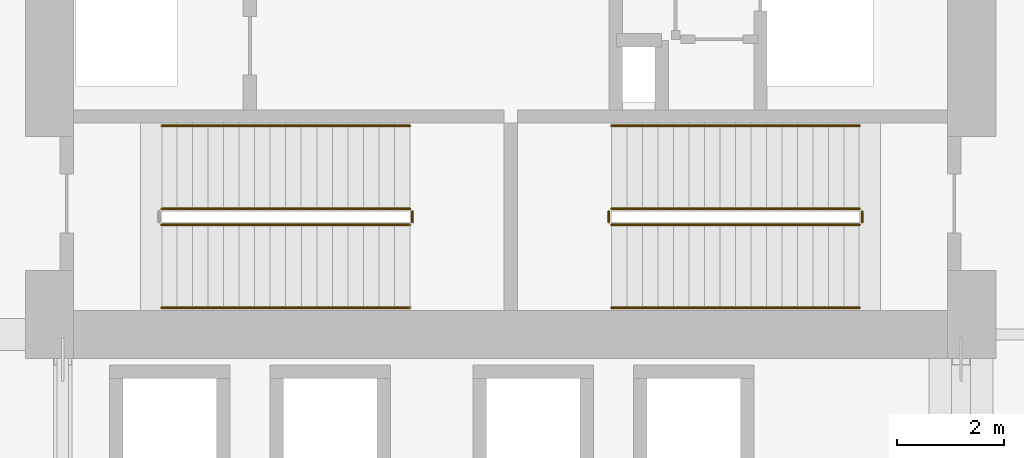
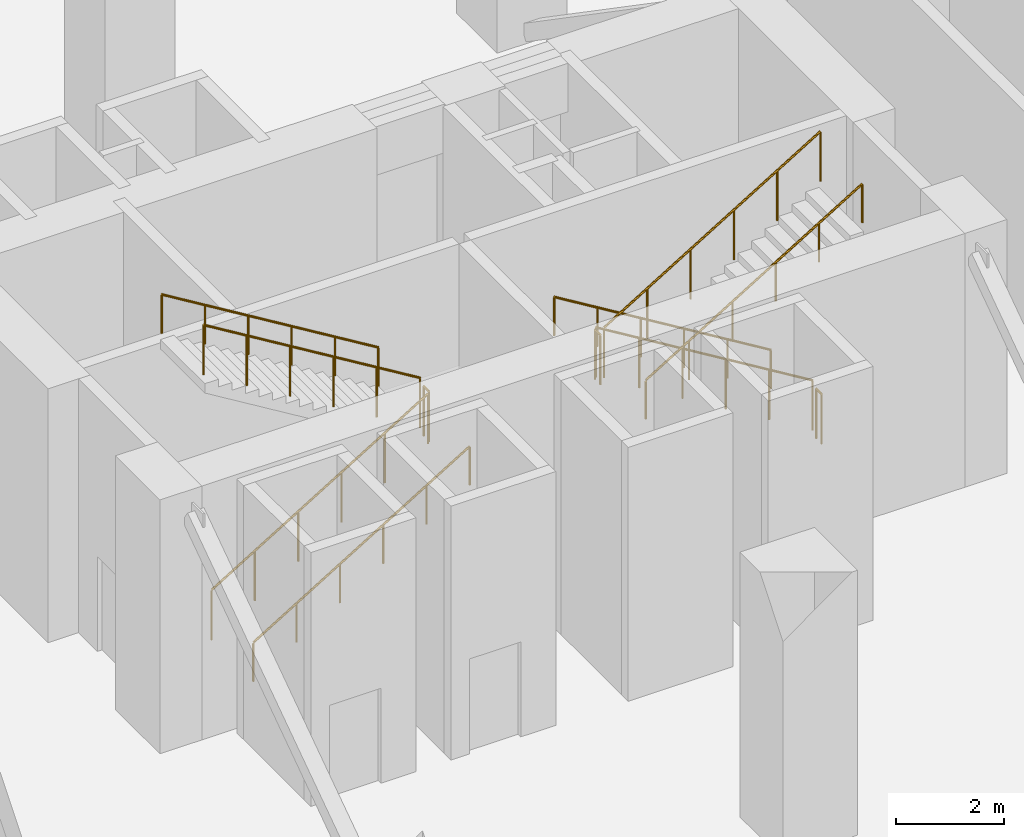
# One storey, part 19 of 20: 11 railings.
"""IFC4 building model written with IfcOpenShell, lengths in metres."""

from ifc_helpers import new_model, si_unit, direction, frame, origin, origin_2d, place, context, subcontext, project, spatial, circle, extrude, material, type_object, element, save


model = new_model("IFC4")

# Units and contexts
model_context = context("Model", 3, precision=1e-05, world=origin(), true_north=direction((0.0, 1.0)))
body_context = subcontext(model_context, "Body", "Model", "MODEL_VIEW")
ifc_project = project(units=[si_unit("LENGTHUNIT", "METRE"), si_unit("AREAUNIT", "SQUARE_METRE"), si_unit("VOLUMEUNIT", "CUBIC_METRE"), si_unit("PLANEANGLEUNIT", "RADIAN"), si_unit("MASSUNIT", "GRAM", prefix="KILO")], contexts=[model_context])

# Site, building, storey
site_placement = place(None, origin())
site = spatial("IfcSite", under=ifc_project, at=site_placement, CompositionType="ELEMENT")
building_placement = place(site_placement, origin())
building = spatial("IfcBuilding", under=site, at=building_placement, Name="Koriwani Terraces Tower", CompositionType="ELEMENT")
storey_placement = place(building_placement, frame((0.0, 0.0, 26.0)))
storey = spatial("IfcBuildingStorey", under=building, at=storey_placement, Name="L05", CompositionType="ELEMENT", Elevation=26.0)

# Railings
ifc_material = material(Name="Steel ASTM A572 Grade 50", Category="steel")
railing_type_1 = type_object("IfcRailingType", Name="GUARD_STAIR_WELL_1120", PredefinedType="GUARDRAIL", material=ifc_material)
railing_1_placement = place(storey_placement, frame((43.85009765625, 18.85009765625, 0.176513671875)))
element("IfcRailing", 1, at=railing_1_placement, inside=storey, type_object=railing_type_1, Name="L05 ST-E1 stair guard 1", PredefinedType="GUARDRAIL", context=body_context, shape_type="SweptSolid", body=[
    extrude(circle(Radius=0.02392578125, at=origin_2d()), frame((0.0, 0.0, 1.1259765625), z_axis=(0.854263648073, 0.0, 0.51983999421), x_axis=(0.0, 1.0, 0.0)), (0.0, 0.0, 1.0), 5.431396484375),
    extrude(circle(Radius=0.02099609375, at=origin_2d()), origin(), (0.0, 0.0, 1.0), 1.101806640625),
    extrude(circle(Radius=0.02099609375, at=origin_2d()), frame((0.927978515625, 0.0, 0.564697265625)), (0.0, 0.0, 1.0), 1.101806640625),
    extrude(circle(Radius=0.02099609375, at=origin_2d()), frame((1.85595703125, 0.0, 1.12939453125)), (0.0, 0.0, 1.0), 1.101806640625),
    extrude(circle(Radius=0.02099609375, at=origin_2d()), frame((2.783935546875, 0.0, 1.694091796875)), (0.0, 0.0, 1.0), 1.101806640625),
    extrude(circle(Radius=0.02099609375, at=origin_2d()), frame((3.7119140625, 0.0, 2.2587890625)), (0.0, 0.0, 1.0), 1.101806640625),
    extrude(circle(Radius=0.02099609375, at=origin_2d()), frame((4.639892578125, 0.0, 2.823486328125)), (0.0, 0.0, 1.0), 1.101806640625),
])
railing_2_placement = place(storey_placement, frame((48.5400390625, 18.89990234375, 3.0)))
element("IfcRailing", 2, at=railing_2_placement, inside=storey, type_object=railing_type_1, Name="L05 ST-E1 stair guard 2", PredefinedType="GUARDRAIL", context=body_context, shape_type="SweptSolid", body=[
    extrude(circle(Radius=0.02392578125, at=origin_2d()), frame((0.0, 0.0, 1.1259765625), z_axis=(0.0, 1.0, 0.0), x_axis=(-1.0, 0.0, 0.0)), (0.0, 0.0, 1.0), 0.2001953125),
    extrude(circle(Radius=0.02099609375, at=origin_2d()), origin(), (0.0, 0.0, 1.0), 1.101806640625),
    extrude(circle(Radius=0.02099609375, at=origin_2d()), frame((0.0, 0.2001953125, 0.0)), (0.0, 0.0, 1.0), 1.101806640625),
])
for number, where, name in (
    (3, (48.489990234375, 19.14990234375, 3.176513671875), "L05 ST-E1 stair guard 3"),
    (4, (56.89990234375, 19.14990234375, 0.176513671875), "L05 ST-E2 stair guard 1"),
):
    element("IfcRailing", number, at=place(storey_placement, frame(where)), inside=storey, type_object=railing_type_1, Name=name, PredefinedType="GUARDRAIL", context=body_context, shape_type="SweptSolid", body=[
        extrude(circle(Radius=0.02392578125, at=origin_2d()), frame((0.0, 0.0, 1.1259765625), z_axis=(-0.854263648073, 0.0, 0.51983999421), x_axis=(0.0, -1.0, 0.0)), (0.0, 0.0, 1.0), 5.431396484375),
        extrude(circle(Radius=0.02099609375, at=origin_2d()), origin(), (0.0, 0.0, 1.0), 1.101806640625),
        extrude(circle(Radius=0.02099609375, at=origin_2d()), frame((-0.927978515625, 0.0, 0.564697265625)), (0.0, 0.0, 1.0), 1.101806640625),
        extrude(circle(Radius=0.02099609375, at=origin_2d()), frame((-1.85595703125, 0.0, 1.12939453125)), (0.0, 0.0, 1.0), 1.101806640625),
        extrude(circle(Radius=0.02099609375, at=origin_2d()), frame((-2.783935546875, 0.0, 1.694091796875)), (0.0, 0.0, 1.0), 1.101806640625),
        extrude(circle(Radius=0.02099609375, at=origin_2d()), frame((-3.7119140625, 0.0, 2.2587890625)), (0.0, 0.0, 1.0), 1.101806640625),
        extrude(circle(Radius=0.02099609375, at=origin_2d()), frame((-4.639892578125, 0.0, 2.823486328125)), (0.0, 0.0, 1.0), 1.101806640625),
    ])
railing_3_placement = place(storey_placement, frame((52.2099609375, 19.10009765625, 3.0)))
element("IfcRailing", 5, at=railing_3_placement, inside=storey, type_object=railing_type_1, Name="L05 ST-E2 stair guard 2", PredefinedType="GUARDRAIL", context=body_context, shape_type="SweptSolid", body=[
    extrude(circle(Radius=0.02392578125, at=origin_2d()), frame((0.0, 0.0, 1.1259765625), z_axis=(0.0, -1.0, 0.0), x_axis=(1.0, 0.0, 0.0)), (0.0, 0.0, 1.0), 0.2001953125),
    extrude(circle(Radius=0.02099609375, at=origin_2d()), origin(), (0.0, 0.0, 1.0), 1.101806640625),
    extrude(circle(Radius=0.02099609375, at=origin_2d()), frame((0.0, -0.2001953125, 0.0)), (0.0, 0.0, 1.0), 1.101806640625),
])
railing_4_placement = place(storey_placement, frame((52.260009765625, 18.85009765625, 3.176513671875)))
element("IfcRailing", 6, at=railing_4_placement, inside=storey, type_object=railing_type_1, Name="L05 ST-E2 stair guard 3", PredefinedType="GUARDRAIL", context=body_context, shape_type="SweptSolid", body=[
    extrude(circle(Radius=0.02392578125, at=origin_2d()), frame((0.0, 0.0, 1.1259765625), z_axis=(0.854263648073, 0.0, 0.51983999421), x_axis=(0.0, 1.0, 0.0)), (0.0, 0.0, 1.0), 5.431396484375),
    extrude(circle(Radius=0.02099609375, at=origin_2d()), origin(), (0.0, 0.0, 1.0), 1.101806640625),
    extrude(circle(Radius=0.02099609375, at=origin_2d()), frame((0.927978515625, 0.0, 0.564697265625)), (0.0, 0.0, 1.0), 1.101806640625),
    extrude(circle(Radius=0.02099609375, at=origin_2d()), frame((1.85595703125, 0.0, 1.12939453125)), (0.0, 0.0, 1.0), 1.101806640625),
    extrude(circle(Radius=0.02099609375, at=origin_2d()), frame((2.783935546875, 0.0, 1.694091796875)), (0.0, 0.0, 1.0), 1.101806640625),
    extrude(circle(Radius=0.02099609375, at=origin_2d()), frame((3.7119140625, 0.0, 2.2587890625)), (0.0, 0.0, 1.0), 1.101806640625),
    extrude(circle(Radius=0.02099609375, at=origin_2d()), frame((4.639892578125, 0.0, 2.823486328125)), (0.0, 0.0, 1.0), 1.101806640625),
])
railing_5_placement = place(storey_placement, frame((56.949951171875, 19.10009765625, 0.0)))
element("IfcRailing", 7, at=railing_5_placement, inside=storey, type_object=railing_type_1, Name="L05 ST-E2 stair guard 4", PredefinedType="GUARDRAIL", context=body_context, shape_type="SweptSolid", body=[
    extrude(circle(Radius=0.02392578125, at=origin_2d()), frame((0.0, 0.0, 1.1259765625), z_axis=(0.0, -1.0, 0.0), x_axis=(1.0, 0.0, 0.0)), (0.0, 0.0, 1.0), 0.2001953125),
    extrude(circle(Radius=0.02099609375, at=origin_2d()), origin(), (0.0, 0.0, 1.0), 1.101806640625),
    extrude(circle(Radius=0.02099609375, at=origin_2d()), frame((0.0, -0.2001953125, 0.0)), (0.0, 0.0, 1.0), 1.101806640625),
])
railing_type_2 = type_object("IfcRailingType", Name="HANDRAIL_STAIR_920", PredefinedType="HANDRAIL", material=ifc_material)
railing_6_placement = place(storey_placement, frame((43.85009765625, 17.300048828125, 0.176513671875)))
element("IfcRailing", 8, at=railing_6_placement, inside=storey, type_object=railing_type_2, Name="L05 ST-E1 stair handrail 1", PredefinedType="HANDRAIL", context=body_context, shape_type="SweptSolid", body=[
    extrude(circle(Radius=0.02392578125, at=origin_2d()), frame((0.0, 0.0, 0.8759765625), z_axis=(0.854263648073, 0.0, 0.51983999421), x_axis=(0.0, 1.0, 0.0)), (0.0, 0.0, 1.0), 5.431396484375),
    extrude(circle(Radius=0.02099609375, at=origin_2d()), origin(), (0.0, 0.0, 1.0), 0.851806640625),
    extrude(circle(Radius=0.02099609375, at=origin_2d()), frame((0.927978515625, 0.0, 0.564697265625)), (0.0, 0.0, 1.0), 0.851806640625),
    extrude(circle(Radius=0.02099609375, at=origin_2d()), frame((1.85595703125, 0.0, 1.12939453125)), (0.0, 0.0, 1.0), 0.851806640625),
    extrude(circle(Radius=0.02099609375, at=origin_2d()), frame((2.783935546875, 0.0, 1.694091796875)), (0.0, 0.0, 1.0), 0.851806640625),
    extrude(circle(Radius=0.02099609375, at=origin_2d()), frame((3.7119140625, 0.0, 2.2587890625)), (0.0, 0.0, 1.0), 0.851806640625),
    extrude(circle(Radius=0.02099609375, at=origin_2d()), frame((4.639892578125, 0.0, 2.823486328125)), (0.0, 0.0, 1.0), 0.851806640625),
])
for number, where, name in (
    (9, (48.489990234375, 20.699951171875, 3.176513671875), "L05 ST-E1 stair handrail 2"),
    (10, (56.89990234375, 20.699951171875, 0.176513671875), "L05 ST-E2 stair handrail 1"),
):
    element("IfcRailing", number, at=place(storey_placement, frame(where)), inside=storey, type_object=railing_type_2, Name=name, PredefinedType="HANDRAIL", context=body_context, shape_type="SweptSolid", body=[
        extrude(circle(Radius=0.02392578125, at=origin_2d()), frame((0.0, 0.0, 0.8759765625), z_axis=(-0.854263648073, 0.0, 0.51983999421), x_axis=(0.0, -1.0, 0.0)), (0.0, 0.0, 1.0), 5.431396484375),
        extrude(circle(Radius=0.02099609375, at=origin_2d()), origin(), (0.0, 0.0, 1.0), 0.851806640625),
        extrude(circle(Radius=0.02099609375, at=origin_2d()), frame((-0.927978515625, 0.0, 0.564697265625)), (0.0, 0.0, 1.0), 0.851806640625),
        extrude(circle(Radius=0.02099609375, at=origin_2d()), frame((-1.85595703125, 0.0, 1.12939453125)), (0.0, 0.0, 1.0), 0.851806640625),
        extrude(circle(Radius=0.02099609375, at=origin_2d()), frame((-2.783935546875, 0.0, 1.694091796875)), (0.0, 0.0, 1.0), 0.851806640625),
        extrude(circle(Radius=0.02099609375, at=origin_2d()), frame((-3.7119140625, 0.0, 2.2587890625)), (0.0, 0.0, 1.0), 0.851806640625),
        extrude(circle(Radius=0.02099609375, at=origin_2d()), frame((-4.639892578125, 0.0, 2.823486328125)), (0.0, 0.0, 1.0), 0.851806640625),
    ])
railing_7_placement = place(storey_placement, frame((52.260009765625, 17.300048828125, 3.176513671875)))
element("IfcRailing", 11, at=railing_7_placement, inside=storey, type_object=railing_type_2, Name="L05 ST-E2 stair handrail 2", PredefinedType="HANDRAIL", context=body_context, shape_type="SweptSolid", body=[
    extrude(circle(Radius=0.02392578125, at=origin_2d()), frame((0.0, 0.0, 0.8759765625), z_axis=(0.854263648073, 0.0, 0.51983999421), x_axis=(0.0, 1.0, 0.0)), (0.0, 0.0, 1.0), 5.431396484375),
    extrude(circle(Radius=0.02099609375, at=origin_2d()), origin(), (0.0, 0.0, 1.0), 0.851806640625),
    extrude(circle(Radius=0.02099609375, at=origin_2d()), frame((0.927978515625, 0.0, 0.564697265625)), (0.0, 0.0, 1.0), 0.851806640625),
    extrude(circle(Radius=0.02099609375, at=origin_2d()), frame((1.85595703125, 0.0, 1.12939453125)), (0.0, 0.0, 1.0), 0.851806640625),
    extrude(circle(Radius=0.02099609375, at=origin_2d()), frame((2.783935546875, 0.0, 1.694091796875)), (0.0, 0.0, 1.0), 0.851806640625),
    extrude(circle(Radius=0.02099609375, at=origin_2d()), frame((3.7119140625, 0.0, 2.2587890625)), (0.0, 0.0, 1.0), 0.851806640625),
    extrude(circle(Radius=0.02099609375, at=origin_2d()), frame((4.639892578125, 0.0, 2.823486328125)), (0.0, 0.0, 1.0), 0.851806640625),
])

save(model, "model.ifc")
